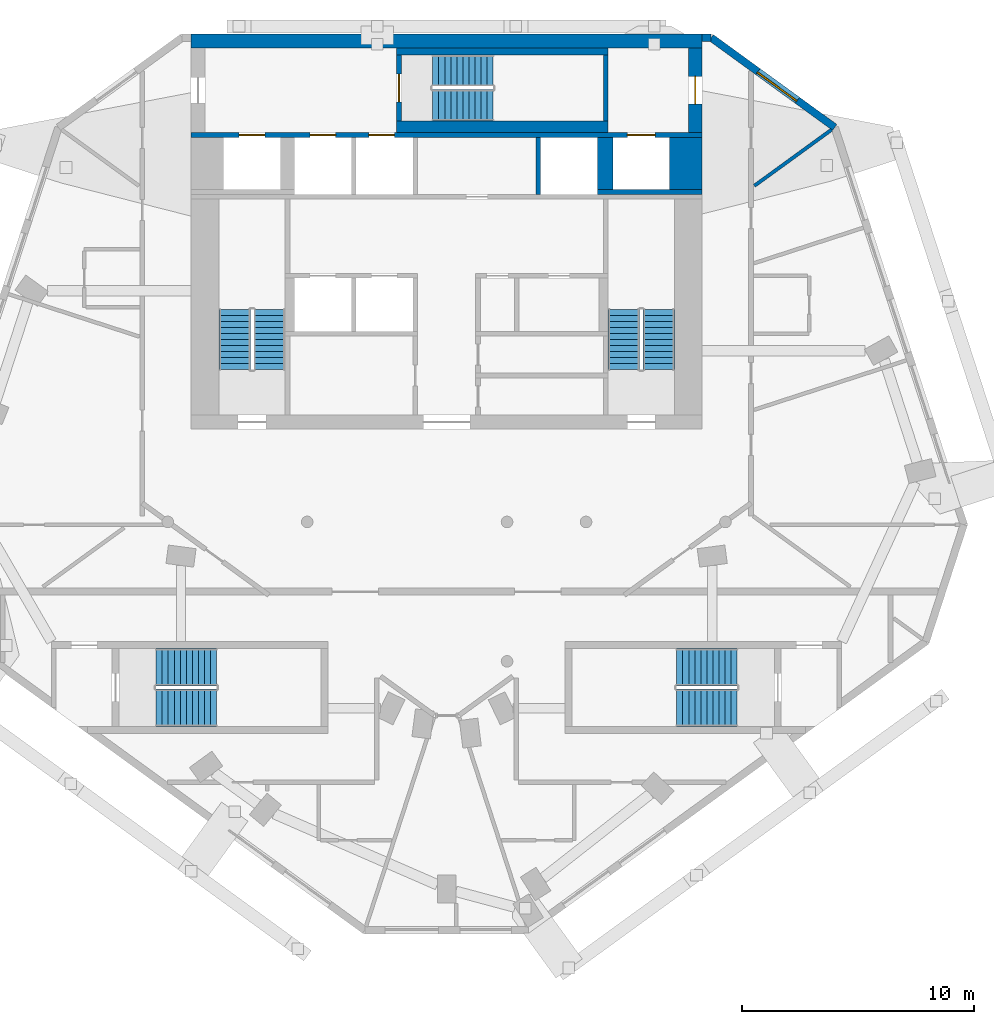
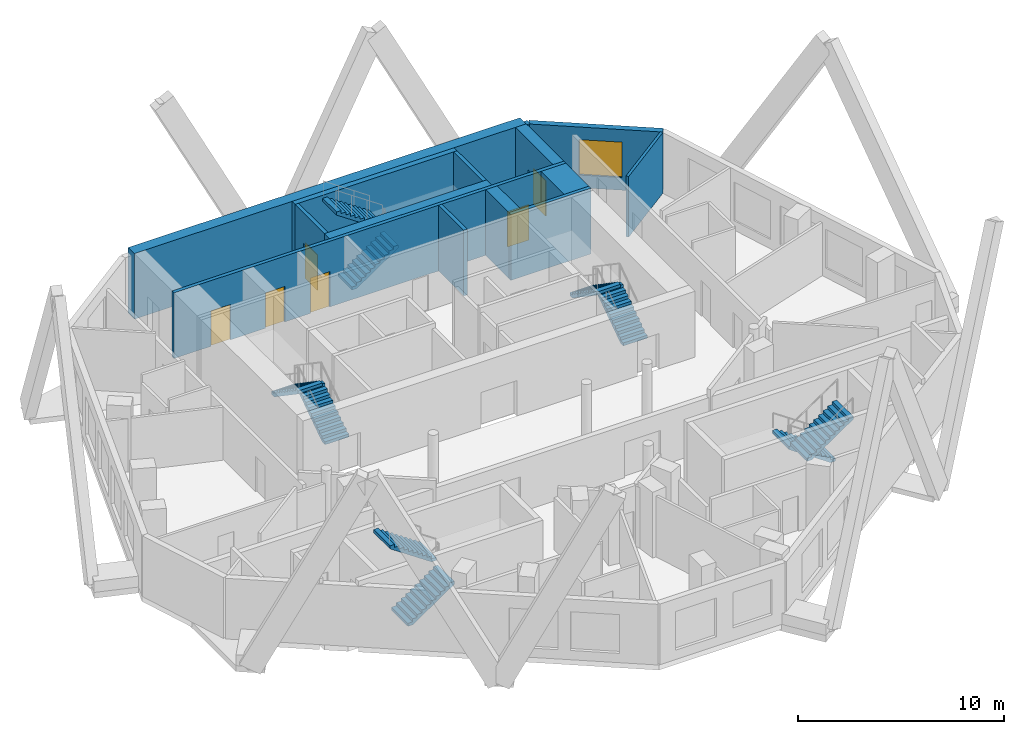
# One storey, part 6 of 8: 14 walls, 10 stair flights, 6 doors, 1 window, 7 openings, 5 elements without a shape of their own.
"""IFC4 building model written with IfcOpenShell, lengths in metres."""

from ifc_helpers import new_model, si_unit, direction, frame, frame_2d, origin, place, context, subcontext, project, spatial, polyline, rectangle, outline, extrude, material, layer, layer_set, type_object, element, fill, aggregate, save


model = new_model("IFC4")

# Units and contexts
model_context = context("Model", 3, precision=1e-05, world=origin(), true_north=direction((0.0, 1.0)))
body_context = subcontext(model_context, "Body", "Model", "MODEL_VIEW")
ifc_project = project(units=[si_unit("LENGTHUNIT", "METRE"), si_unit("AREAUNIT", "SQUARE_METRE"), si_unit("VOLUMEUNIT", "CUBIC_METRE"), si_unit("PLANEANGLEUNIT", "RADIAN"), si_unit("MASSUNIT", "GRAM", prefix="KILO")], contexts=[model_context])

# Site, building, storey
site_placement = place(None, origin())
site = spatial("IfcSite", under=ifc_project, at=site_placement, CompositionType="ELEMENT")
building_placement = place(site_placement, origin())
building = spatial("IfcBuilding", under=site, at=building_placement, Name="White Candle Pilgrim Tower", CompositionType="ELEMENT")
storey_placement = place(building_placement, frame((0.0, 0.0, 306.10009765625)))
storey = spatial("IfcBuildingStorey", under=building, at=storey_placement, Name="L72", CompositionType="ELEMENT", Elevation=306.10009765625)

# Walls
ifc_material_1 = material(Name="Concrete C40/50", Category="concrete")
ifc_layer_1 = layer(ifc_material_1, 1.39990234375)
ifc_layer_set_1 = layer_set([ifc_layer_1], Name="Core wall 1400 mm Concrete C40/50")
wall_type_1 = type_object("IfcWallType", Name="Core wall 1400 mm Concrete C40/50", PredefinedType="SHEAR", material=ifc_layer_set_1)
wall_1_placement = place(storey_placement, frame((80.300048828125, 81.300048828125, 0.0), z_axis=(0.0, 0.0, 1.0), x_axis=(0.0, 1.0, 0.0)))
element("IfcWall", 1, at=wall_1_placement, inside=storey, type_object=wall_type_1, Name="WL-L72-C42", PredefinedType="SHEAR", context=body_context, shape_type="SweptSolid", body=[
    extrude(rectangle(XDim=2.25, YDim=1.39990234375, at=frame_2d((1.125, 0.0))), origin(), (0.0, 0.0, 1.0), 3.89990234375),
])
ifc_layer_2 = layer(ifc_material_1, 0.199951171875)
ifc_layer_set_2 = layer_set([ifc_layer_2], Name="Core wall 200 mm Concrete C40/50")
wall_type_2 = type_object("IfcWallType", Name="Core wall 200 mm Concrete C40/50", PredefinedType="SHEAR", material=ifc_layer_set_2)
wall_2_placement = place(storey_placement, frame((76.5, 81.199951171875, 0.0), z_axis=(0.0, 0.0, 1.0), x_axis=(1.0, 0.0, 0.0)))
element("IfcWall", 2, at=wall_2_placement, inside=storey, type_object=wall_type_2, Name="WL-L72-C38", PredefinedType="SHEAR", context=body_context, shape_type="SweptSolid", body=[
    extrude(rectangle(XDim=4.5, YDim=0.199951171875, at=frame_2d((2.25, 0.0))), origin(), (0.0, 0.0, 1.0), 3.89990234375),
])

# Wall, openings, doors
wall_3_placement = place(storey_placement, frame((59.0, 83.64990234375, 0.0), z_axis=(0.0, 0.0, 1.0), x_axis=(1.0, 0.0, 0.0)))
wall_3 = element("IfcWall", 3, at=wall_3_placement, inside=storey, type_object=wall_type_2, Name="WL-L72-C43", PredefinedType="SHEAR", context=body_context, shape_type="SweptSolid", body=[
    extrude(rectangle(XDim=22.0, YDim=0.199951171875, at=frame_2d((11.0, 0.0))), origin(), (0.0, 0.0, 1.0), 3.89990234375),
])
opening_1_placement = place(wall_3_placement, frame((5.125, 0.0, 0.0)))
opening_1 = element("IfcOpeningElement", 4, at=opening_1_placement, cuts=wall_3, Name="Opening T22-016", PredefinedType="OPENING", context=body_context, shape_type="SweptSolid", body=[
    extrude(rectangle(XDim=1.10009765625, YDim=2.10009765625, at=frame_2d((0.550048828125, 1.050048828125))), frame((0.0, 0.10986328125, 0.0), z_axis=(0.0, -1.0, 0.0), x_axis=(1.0, 0.0, 0.0)), (0.0, 0.0, 1.0), 0.219970703125),
])
opening_2_placement = place(wall_3_placement, frame((7.64990234375, 0.0, 0.0)))
opening_2 = element("IfcOpeningElement", 5, at=opening_2_placement, cuts=wall_3, Name="Opening T22-017", PredefinedType="OPENING", context=body_context, shape_type="SweptSolid", body=[
    extrude(rectangle(XDim=1.10009765625, YDim=2.10009765625, at=frame_2d((0.550048828125, 1.050048828125))), frame((0.0, 0.10986328125, 0.0), z_axis=(0.0, -1.0, 0.0), x_axis=(1.0, 0.0, 0.0)), (0.0, 0.0, 1.0), 0.219970703125),
])
opening_3_placement = place(wall_3_placement, frame((18.77490234375, 0.0, 0.0)))
opening_3 = element("IfcOpeningElement", 6, at=opening_3_placement, cuts=wall_3, Name="Opening T22-018", PredefinedType="OPENING", context=body_context, shape_type="SweptSolid", body=[
    extrude(rectangle(XDim=1.199951171875, YDim=2.10009765625, at=frame_2d((0.60009765625, 1.050048828125))), frame((0.0, 0.10986328125, 0.0), z_axis=(0.0, -1.0, 0.0), x_axis=(1.0, 0.0, 0.0)), (0.0, 0.0, 1.0), 0.219970703125),
])
opening_4_placement = place(wall_3_placement, frame((2.074951171875, 0.0, 0.0)))
opening_4 = element("IfcOpeningElement", 7, at=opening_4_placement, cuts=wall_3, Name="Opening T22-019", PredefinedType="OPENING", context=body_context, shape_type="SweptSolid", body=[
    extrude(rectangle(XDim=1.10009765625, YDim=2.10009765625, at=frame_2d((0.550048828125, 1.050048828125))), frame((0.0, 0.10986328125, 0.0), z_axis=(0.0, -1.0, 0.0), x_axis=(1.0, 0.0, 0.0)), (0.0, 0.0, 1.0), 0.219970703125),
])
ifc_material_2 = material(Name="Stainless steel", Category="steel")
door_type_1 = type_object("IfcDoorType", Name="Lift landing door 1100 x 2100 EI 60", OperationType="DOUBLE_DOOR_SLIDING", PredefinedType="DOOR", material=ifc_material_2)
door_1_placement = place(opening_1_placement, origin())
door_1 = element("IfcDoor", 8, at=door_1_placement, inside=storey, type_object=door_type_1, Name="Door T22-016", OperationType="DOUBLE_DOOR_SLIDING", OverallHeight=2.10009765625, OverallWidth=1.10009765625, PredefinedType="DOOR", context=body_context, shape_type="SweptSolid", body=[
    extrude(rectangle(XDim=1.10009765625, YDim=2.10009765625, at=frame_2d((0.550048828125, 1.050048828125))), frame((0.0, 0.02490234375, 0.0), z_axis=(0.0, -1.0, 0.0), x_axis=(1.0, 0.0, 0.0)), (0.0, 0.0, 1.0), 0.050048828125),
])
fill(opening_1, door_1)
door_2_placement = place(opening_2_placement, origin())
door_2 = element("IfcDoor", 9, at=door_2_placement, inside=storey, type_object=door_type_1, Name="Door T22-017", OperationType="DOUBLE_DOOR_SLIDING", OverallHeight=2.10009765625, OverallWidth=1.10009765625, PredefinedType="DOOR", context=body_context, shape_type="SweptSolid", body=[
    extrude(rectangle(XDim=1.10009765625, YDim=2.10009765625, at=frame_2d((0.550048828125, 1.050048828125))), frame((0.0, 0.02490234375, 0.0), z_axis=(0.0, -1.0, 0.0), x_axis=(1.0, 0.0, 0.0)), (0.0, 0.0, 1.0), 0.050048828125),
])
fill(opening_2, door_2)
door_3_placement = place(opening_4_placement, origin())
door_3 = element("IfcDoor", 10, at=door_3_placement, inside=storey, type_object=door_type_1, Name="Door T22-019", OperationType="DOUBLE_DOOR_SLIDING", OverallHeight=2.10009765625, OverallWidth=1.10009765625, PredefinedType="DOOR", context=body_context, shape_type="SweptSolid", body=[
    extrude(rectangle(XDim=1.10009765625, YDim=2.10009765625, at=frame_2d((0.550048828125, 1.050048828125))), frame((0.0, 0.02490234375, 0.0), z_axis=(0.0, -1.0, 0.0), x_axis=(1.0, 0.0, 0.0)), (0.0, 0.0, 1.0), 0.050048828125),
])
fill(opening_4, door_3)
door_type_2 = type_object("IfcDoorType", Name="Lift landing door 1200 x 2100 E 60", OperationType="DOUBLE_DOOR_SLIDING", PredefinedType="DOOR", material=ifc_material_2)
door_4_placement = place(opening_3_placement, origin())
door_4 = element("IfcDoor", 11, at=door_4_placement, inside=storey, type_object=door_type_2, Name="Door T22-018", OperationType="DOUBLE_DOOR_SLIDING", OverallHeight=2.10009765625, OverallWidth=1.199951171875, PredefinedType="DOOR", context=body_context, shape_type="SweptSolid", body=[
    extrude(rectangle(XDim=1.199951171875, YDim=2.10009765625, at=frame_2d((0.60009765625, 1.050048828125))), frame((0.0, 0.02490234375, 0.0), z_axis=(0.0, -1.0, 0.0), x_axis=(1.0, 0.0, 0.0)), (0.0, 0.0, 1.0), 0.050048828125),
])
fill(opening_3, door_4)

# Wall, opening, door
ifc_layer_3 = layer(ifc_material_1, 0.60009765625)
ifc_layer_set_3 = layer_set([ifc_layer_3], Name="Core wall 600 mm Concrete C40/50")
wall_type_3 = type_object("IfcWallType", Name="Core wall 600 mm Concrete C40/50", PredefinedType="SHEAR", material=ifc_layer_set_3)
wall_4_placement = place(storey_placement, frame((80.699951171875, 83.75, 0.0), z_axis=(0.0, 0.0, 1.0), x_axis=(0.0, 1.0, 0.0)))
wall_4 = element("IfcWall", 12, at=wall_4_placement, inside=storey, type_object=wall_type_3, Name="WL-L72-C46", PredefinedType="SHEAR", context=body_context, shape_type="SweptSolid", body=[
    extrude(rectangle(XDim=3.64990234375, YDim=0.60009765625, at=frame_2d((1.824951171875, 0.0))), origin(), (0.0, 0.0, 1.0), 3.89990234375),
])
opening_5_placement = place(wall_4_placement, frame((1.22509765625, 0.0, 0.0)))
opening_5 = element("IfcOpeningElement", 13, at=opening_5_placement, cuts=wall_4, Name="Opening T22-009", PredefinedType="OPENING", context=body_context, shape_type="SweptSolid", body=[
    extrude(rectangle(XDim=1.199951171875, YDim=2.10009765625, at=frame_2d((0.60009765625, 1.050048828125))), frame((0.0, 0.31005859375, 0.0), z_axis=(0.0, -1.0, 0.0), x_axis=(1.0, 0.0, 0.0)), (0.0, 0.0, 1.0), 0.6201171875),
])
ifc_material_3 = material(Name="Steel door leaf", Category="steel")
door_type_3 = type_object("IfcDoorType", Name="Fire door 1200 x 2100 EI 30", OperationType="NOTDEFINED", PredefinedType="DOOR", material=ifc_material_3)
door_5_placement = place(opening_5_placement, origin())
door_5 = element("IfcDoor", 14, at=door_5_placement, inside=storey, type_object=door_type_3, Name="Door T22-009", OperationType="SINGLE_SWING_LEFT", OverallHeight=2.10009765625, OverallWidth=1.199951171875, PredefinedType="DOOR", context=body_context, shape_type="SweptSolid", body=[
    extrude(rectangle(XDim=1.199951171875, YDim=2.10009765625, at=frame_2d((0.60009765625, 1.050048828125))), frame((0.0, 0.02490234375, 0.0), z_axis=(0.0, -1.0, 0.0), x_axis=(1.0, 0.0, 0.0)), (0.0, 0.0, 1.0), 0.050048828125),
])
fill(opening_5, door_5)

# Wall
wall_5_placement = place(storey_placement, frame((59.0, 87.699951171875, 0.0), z_axis=(0.0, 0.0, 1.0), x_axis=(1.0, 0.0, 0.0)))
element("IfcWall", 15, at=wall_5_placement, inside=storey, type_object=wall_type_3, Name="WL-L72-C50", PredefinedType="SHEAR", context=body_context, shape_type="SweptSolid", body=[
    extrude(rectangle(XDim=22.0, YDim=0.60009765625, at=frame_2d((11.0, 0.0))), origin(), (0.0, 0.0, 1.0), 3.89990234375),
])

# Wall, opening, window
ifc_material_4 = material(Name="Precast concrete C40/50", Category="concrete")
ifc_layer_4 = layer(ifc_material_4, 0.320068359375)
ifc_layer_set_4 = layer_set([ifc_layer_4], Name="Facade wall EW1 precast concrete C40/50 pier wall with timber-lined reveals")
wall_type_4 = type_object("IfcWallType", Name="Facade wall EW1 precast concrete C40/50 pier wall with timber-lined reveals", PredefinedType="SOLIDWALL", material=ifc_layer_set_4)
wall_6_placement = place(storey_placement, frame((86.701904296875, 83.97705078125, 0.0), z_axis=(0.0, 0.0, 1.0), x_axis=(-0.809010691028, 0.587793928007, 0.0)))
wall_6 = element("IfcWall", 16, at=wall_6_placement, inside=storey, type_object=wall_type_4, Name="Facade wall L72 NE chamfer", PredefinedType="SOLIDWALL", context=body_context, shape_type="SweptSolid", body=[
    extrude(rectangle(XDim=6.572021484375, YDim=0.320068359375, at=frame_2d((3.2861328125, 0.0))), origin(), (0.0, 0.0, 1.0), 3.599853515625),
])
opening_6_placement = place(wall_6_placement, frame((1.98583984375, 0.0, 0.75)))
opening_6 = element("IfcOpeningElement", 17, at=opening_6_placement, cuts=wall_6, Name="Opening W3", PredefinedType="OPENING", context=body_context, shape_type="SweptSolid", body=[
    extrude(rectangle(XDim=2.10009765625, YDim=2.10009765625, at=frame_2d((1.050048828125, 1.050048828125))), frame((0.0, 0.169921875, 0.0), z_axis=(0.0, -1.0, 0.0), x_axis=(1.0, 0.0, 0.0)), (0.0, 0.0, 1.0), 0.340087890625),
])
ifc_material_5 = material(Name="Timber frame with triple glazing", Category="wood")
window_type = type_object("IfcWindowType", Name="Window W3 2100x2100 timber frame triple glazing", PartitioningType="SINGLE_PANEL", PredefinedType="WINDOW", material=ifc_material_5)
window_placement = place(opening_6_placement, origin())
window = element("IfcWindow", 18, at=window_placement, inside=storey, type_object=window_type, Name="Window W3 L72 NE chamfer 1", OverallHeight=2.10009765625, OverallWidth=2.10009765625, PartitioningType="SINGLE_PANEL", PredefinedType="WINDOW", context=body_context, shape_type="SweptSolid", body=[
    extrude(rectangle(XDim=2.10009765625, YDim=2.10009765625, at=frame_2d((1.050048828125, 1.050048828125))), frame((0.0, 0.070068359375, 0.0), z_axis=(0.0, -1.0, 0.0), x_axis=(1.0, 0.0, 0.0)), (0.0, 0.0, 1.0), 0.06005859375),
])
fill(opening_6, window)

# Walls
wall_7_placement = place(storey_placement, frame((81.385009765625, 87.840087890625, 0.0), z_axis=(0.0, 0.0, 1.0), x_axis=(-1.0, 0.0, 0.0)))
element("IfcWall", 19, at=wall_7_placement, inside=storey, type_object=wall_type_4, Name="Facade wall L72 N", PredefinedType="SOLIDWALL", context=body_context, shape_type="SweptSolid", body=[
    extrude(rectangle(XDim=0.385009765625, YDim=0.320068359375, at=frame_2d((0.1923828125, 0.0))), origin(), (0.0, 0.0, 1.0), 3.599853515625),
])
ifc_material_6 = material(Name="Gypsum board on steel studs", Category="steel")
ifc_layer_5 = layer(ifc_material_6, 0.14990234375)
ifc_layer_set_5 = layer_set([ifc_layer_5], Name="Partition 150 mm EI 60")
wall_type_5 = type_object("IfcWallType", Name="Partition 150 mm EI 60", PredefinedType="PARTITIONING", material=ifc_layer_set_5)
wall_8_placement = place(storey_placement, frame((86.565673828125, 83.87841796875, 0.0), z_axis=(0.0, 0.0, 1.0), x_axis=(-0.809005997221, -0.587800388279, 0.0)))
element("IfcWall", 20, at=wall_8_placement, inside=storey, type_object=wall_type_5, Name="WL-L72-P024", PredefinedType="PARTITIONING", context=body_context, shape_type="SweptSolid", body=[
    extrude(rectangle(XDim=4.105712890625, YDim=0.14990234375, at=frame_2d((2.052734375, 0.0))), origin(), (0.0, 0.0, 1.0), 3.599853515625),
])
ifc_layer_6 = layer(ifc_material_1, 0.199951171875)
ifc_layer_set_6 = layer_set([ifc_layer_6], Name="Shaft wall 200 mm Concrete C40/50")
wall_type_6 = type_object("IfcWallType", Name="Shaft wall 200 mm Concrete C40/50", PredefinedType="SHEAR", material=ifc_layer_set_6)
wall_9_placement = place(storey_placement, frame((73.949951171875, 81.10009765625, 0.0), z_axis=(0.0, 0.0, 1.0), x_axis=(0.0, 1.0, 0.0)))
element("IfcWall", 21, at=wall_9_placement, inside=storey, type_object=wall_type_6, Name="WL-L72-C37", PredefinedType="SHEAR", context=body_context, shape_type="SweptSolid", body=[
    extrude(rectangle(XDim=2.449951171875, YDim=0.199951171875, at=frame_2d((1.22509765625, 0.0))), origin(), (0.0, 0.0, 1.0), 3.89990234375),
])
ifc_layer_7 = layer(ifc_material_1, 0.64990234375)
ifc_layer_set_7 = layer_set([ifc_layer_7], Name="Shaft wall 650 mm Concrete C40/50")
wall_type_7 = type_object("IfcWallType", Name="Shaft wall 650 mm Concrete C40/50", PredefinedType="SHEAR", material=ifc_layer_set_7)
wall_10_placement = place(storey_placement, frame((76.824951171875, 81.300048828125, 0.0), z_axis=(0.0, 0.0, 1.0), x_axis=(0.0, 1.0, 0.0)))
element("IfcWall", 22, at=wall_10_placement, inside=storey, type_object=wall_type_7, Name="WL-L72-C41", PredefinedType="SHEAR", context=body_context, shape_type="SweptSolid", body=[
    extrude(rectangle(XDim=2.25, YDim=0.64990234375, at=frame_2d((1.125, 0.0))), origin(), (0.0, 0.0, 1.0), 3.89990234375),
])

# Wall, opening, door
ifc_layer_8 = layer(ifc_material_1, 0.199951171875)
ifc_layer_set_8 = layer_set([ifc_layer_8], Name="Stair shaft wall 200 mm Concrete C40/50")
wall_type_8 = type_object("IfcWallType", Name="Stair shaft wall 200 mm Concrete C40/50", PredefinedType="SHEAR", material=ifc_layer_set_8)
wall_11_placement = place(storey_placement, frame((67.949951171875, 84.25, 0.0), z_axis=(0.0, 0.0, 1.0), x_axis=(0.0, 1.0, 0.0)))
wall_11 = element("IfcWall", 23, at=wall_11_placement, inside=storey, type_object=wall_type_8, Name="WL-L72-C47", PredefinedType="SHEAR", context=body_context, shape_type="SweptSolid", body=[
    extrude(rectangle(XDim=2.85009765625, YDim=0.199951171875, at=frame_2d((1.425048828125, 0.0))), origin(), (0.0, 0.0, 1.0), 3.89990234375),
])
opening_7_placement = place(wall_11_placement, frame((0.824951171875, 0.0, 0.0)))
opening_7 = element("IfcOpeningElement", 24, at=opening_7_placement, cuts=wall_11, Name="Opening T22-003", PredefinedType="OPENING", context=body_context, shape_type="SweptSolid", body=[
    extrude(rectangle(XDim=1.199951171875, YDim=2.10009765625, at=frame_2d((0.60009765625, 1.050048828125))), frame((0.0, 0.10986328125, 0.0), z_axis=(0.0, -1.0, 0.0), x_axis=(1.0, 0.0, 0.0)), (0.0, 0.0, 1.0), 0.219970703125),
])
door_type_4 = type_object("IfcDoorType", Name="Fire door 1200 x 2100 EI 60", OperationType="NOTDEFINED", PredefinedType="DOOR", material=ifc_material_3)
door_6_placement = place(opening_7_placement, frame((1.199951171875, 0.0, 0.0), z_axis=(0.0, 0.0, 1.0), x_axis=(-1.0, 0.0, 0.0)))
door_6 = element("IfcDoor", 25, at=door_6_placement, inside=storey, type_object=door_type_4, Name="Door T22-003", OperationType="SINGLE_SWING_RIGHT", OverallHeight=2.10009765625, OverallWidth=1.199951171875, PredefinedType="DOOR", context=body_context, shape_type="SweptSolid", body=[
    extrude(rectangle(XDim=1.199951171875, YDim=2.10009765625, at=frame_2d((0.60009765625, 1.050048828125))), frame((0.0, 0.02490234375, 0.0), z_axis=(0.0, -1.0, 0.0), x_axis=(1.0, 0.0, 0.0)), (0.0, 0.0, 1.0), 0.050048828125),
])
fill(opening_7, door_6)

# Walls
wall_12_placement = place(storey_placement, frame((76.85009765625, 84.25, 0.0), z_axis=(0.0, 0.0, 1.0), x_axis=(0.0, 1.0, 0.0)))
element("IfcWall", 26, at=wall_12_placement, inside=storey, type_object=wall_type_8, Name="WL-L72-C48", PredefinedType="SHEAR", context=body_context, shape_type="SweptSolid", body=[
    extrude(rectangle(XDim=2.85009765625, YDim=0.199951171875, at=frame_2d((1.425048828125, 0.0))), origin(), (0.0, 0.0, 1.0), 3.89990234375),
])
ifc_layer_9 = layer(ifc_material_1, 0.300048828125)
ifc_layer_set_9 = layer_set([ifc_layer_9], Name="Stair shaft wall 300 mm Concrete C40/50")
wall_type_9 = type_object("IfcWallType", Name="Stair shaft wall 300 mm Concrete C40/50", PredefinedType="SHEAR", material=ifc_layer_set_9)
wall_13_placement = place(storey_placement, frame((67.85009765625, 87.25, 0.0), z_axis=(0.0, 0.0, 1.0), x_axis=(1.0, 0.0, 0.0)))
element("IfcWall", 27, at=wall_13_placement, inside=storey, type_object=wall_type_9, Name="WL-L72-C49", PredefinedType="SHEAR", context=body_context, shape_type="SweptSolid", body=[
    extrude(rectangle(XDim=9.099853515625, YDim=0.300048828125, at=frame_2d((4.5498046875, 0.0))), origin(), (0.0, 0.0, 1.0), 3.89990234375),
])
ifc_layer_10 = layer(ifc_material_1, 0.5)
ifc_layer_set_10 = layer_set([ifc_layer_10], Name="Stair shaft wall 500 mm Concrete C40/50")
wall_type_10 = type_object("IfcWallType", Name="Stair shaft wall 500 mm Concrete C40/50", PredefinedType="SHEAR", material=ifc_layer_set_10)
wall_14_placement = place(storey_placement, frame((67.85009765625, 84.0, 0.0), z_axis=(0.0, 0.0, 1.0), x_axis=(1.0, 0.0, 0.0)))
element("IfcWall", 28, at=wall_14_placement, inside=storey, type_object=wall_type_10, Name="WL-L72-C45", PredefinedType="SHEAR", context=body_context, shape_type="SweptSolid", body=[
    extrude(rectangle(XDim=9.099853515625, YDim=0.5, at=frame_2d((4.5498046875, 0.0))), origin(), (0.0, 0.0, 1.0), 3.89990234375),
])

# Stair, stair flights
stair_type_1 = type_object("IfcStairType", Name="Exit stair 1 flight width 1350 mm", PredefinedType="HALF_TURN_STAIR", material=ifc_material_1)
stair_1_placement = place(storey_placement, origin())
stair_1 = element("IfcStair", 29, at=stair_1_placement, inside=storey, type_object=stair_type_1, Name="L72 stair 1", PredefinedType="NOTDEFINED")
ifc_layer_11 = layer(ifc_material_1, 0.14990234375)
ifc_layer_set_11 = layer_set([ifc_layer_11], Name="Stair flight Concrete C40/50")
stair_flight_type = type_object("IfcStairFlightType", Name="Stair flight Concrete C40/50", PredefinedType="STRAIGHT", material=ifc_layer_set_11)
stair_flight_1_placement = place(storey_placement, frame((62.375, 73.550048828125, 0.0), z_axis=(0.0, 0.0, 1.0), x_axis=(0.0, 1.0, 0.0)))
stair_flight_1 = element("IfcStairFlight", 30, at=stair_flight_1_placement, type_object=stair_flight_type, Name="ST1 flight 1", NumberOfRisers=11, NumberOfTreads=10, PredefinedType="NOTDEFINED", RiserHeight=0.177272727, TreadLength=0.26, context=body_context, shape_type="SweptSolid", body=[
    extrude(outline(polyline([(0.0, 0.0), (0.0, 0.17724609375), (0.260009765625, 0.17724609375), (0.260009765625, 0.3544921875), (0.52001953125, 0.3544921875), (0.52001953125, 0.53173828125), (0.780029296875, 0.53173828125), (0.780029296875, 0.708984375), (1.0400390625, 0.708984375), (1.0400390625, 0.886474609375), (1.300048828125, 0.886474609375), (1.300048828125, 1.063720703125), (1.56005859375, 1.063720703125), (1.56005859375, 1.240966796875), (1.820068359375, 1.240966796875), (1.820068359375, 1.418212890625), (2.080078125, 1.418212890625), (2.080078125, 1.595458984375), (2.340087890625, 1.595458984375), (2.340087890625, 1.772705078125), (2.60009765625, 1.772705078125), (2.60009765625, 1.949951171875), (2.60009765625, 1.59130859375), (0.26611328125, 0.0), (0.0, 0.0)])), frame((0.0, 0.675048828125, 0.0), z_axis=(0.0, -1.0, 0.0), x_axis=(1.0, 0.0, 0.0)), (0.0, 0.0, 1.0), 1.35009765625),
])
stair_flight_2_placement = place(storey_placement, frame((60.875, 76.14990234375, 1.949951171875), z_axis=(0.0, 0.0, 1.0), x_axis=(0.0, -1.0, 0.0)))
stair_flight_2 = element("IfcStairFlight", 31, at=stair_flight_2_placement, type_object=stair_flight_type, Name="ST1 flight 2", NumberOfRisers=11, NumberOfTreads=10, PredefinedType="NOTDEFINED", RiserHeight=0.177272727, TreadLength=0.26, context=body_context, shape_type="SweptSolid", body=[
    extrude(outline(polyline([(0.0, 0.0), (0.0, 0.17724609375), (0.260009765625, 0.17724609375), (0.260009765625, 0.3544921875), (0.52001953125, 0.3544921875), (0.52001953125, 0.53173828125), (0.780029296875, 0.53173828125), (0.780029296875, 0.708984375), (1.0400390625, 0.708984375), (1.0400390625, 0.886474609375), (1.300048828125, 0.886474609375), (1.300048828125, 1.063720703125), (1.56005859375, 1.063720703125), (1.56005859375, 1.240966796875), (1.820068359375, 1.240966796875), (1.820068359375, 1.418212890625), (2.080078125, 1.418212890625), (2.080078125, 1.595458984375), (2.340087890625, 1.595458984375), (2.340087890625, 1.772705078125), (2.60009765625, 1.772705078125), (2.60009765625, 1.949951171875), (2.60009765625, 1.59130859375), (0.26611328125, 0.0), (0.0, 0.0)])), frame((0.0, 0.675048828125, 0.0), z_axis=(0.0, -1.0, 0.0), x_axis=(1.0, 0.0, 0.0)), (0.0, 0.0, 1.0), 1.35009765625),
])
aggregate(stair_1, [stair_flight_1, stair_flight_2])

stair_type_2 = type_object("IfcStairType", Name="Exit stair 2 flight width 1350 mm", PredefinedType="HALF_TURN_STAIR", material=ifc_material_1)
stair_2_placement = place(storey_placement, origin())
stair_2 = element("IfcStair", 32, at=stair_2_placement, inside=storey, type_object=stair_type_2, Name="L72 stair 2", PredefinedType="NOTDEFINED")
stair_flight_3_placement = place(storey_placement, frame((79.125, 73.550048828125, 0.0), z_axis=(0.0, 0.0, 1.0), x_axis=(0.0, 1.0, 0.0)))
stair_flight_3 = element("IfcStairFlight", 33, at=stair_flight_3_placement, type_object=stair_flight_type, Name="ST2 flight 1", NumberOfRisers=11, NumberOfTreads=10, PredefinedType="NOTDEFINED", RiserHeight=0.177272727, TreadLength=0.26, context=body_context, shape_type="SweptSolid", body=[
    extrude(outline(polyline([(0.0, 0.0), (0.0, 0.17724609375), (0.260009765625, 0.17724609375), (0.260009765625, 0.3544921875), (0.52001953125, 0.3544921875), (0.52001953125, 0.53173828125), (0.780029296875, 0.53173828125), (0.780029296875, 0.708984375), (1.0400390625, 0.708984375), (1.0400390625, 0.886474609375), (1.300048828125, 0.886474609375), (1.300048828125, 1.063720703125), (1.56005859375, 1.063720703125), (1.56005859375, 1.240966796875), (1.820068359375, 1.240966796875), (1.820068359375, 1.418212890625), (2.080078125, 1.418212890625), (2.080078125, 1.595458984375), (2.340087890625, 1.595458984375), (2.340087890625, 1.772705078125), (2.60009765625, 1.772705078125), (2.60009765625, 1.949951171875), (2.60009765625, 1.59130859375), (0.26611328125, 0.0), (0.0, 0.0)])), frame((0.0, 0.675048828125, 0.0), z_axis=(0.0, -1.0, 0.0), x_axis=(1.0, 0.0, 0.0)), (0.0, 0.0, 1.0), 1.35009765625),
])
stair_flight_4_placement = place(storey_placement, frame((77.625, 76.14990234375, 1.949951171875), z_axis=(0.0, 0.0, 1.0), x_axis=(0.0, -1.0, 0.0)))
stair_flight_4 = element("IfcStairFlight", 34, at=stair_flight_4_placement, type_object=stair_flight_type, Name="ST2 flight 2", NumberOfRisers=11, NumberOfTreads=10, PredefinedType="NOTDEFINED", RiserHeight=0.177272727, TreadLength=0.26, context=body_context, shape_type="SweptSolid", body=[
    extrude(outline(polyline([(0.0, 0.0), (0.0, 0.17724609375), (0.260009765625, 0.17724609375), (0.260009765625, 0.3544921875), (0.52001953125, 0.3544921875), (0.52001953125, 0.53173828125), (0.780029296875, 0.53173828125), (0.780029296875, 0.708984375), (1.0400390625, 0.708984375), (1.0400390625, 0.886474609375), (1.300048828125, 0.886474609375), (1.300048828125, 1.063720703125), (1.56005859375, 1.063720703125), (1.56005859375, 1.240966796875), (1.820068359375, 1.240966796875), (1.820068359375, 1.418212890625), (2.080078125, 1.418212890625), (2.080078125, 1.595458984375), (2.340087890625, 1.595458984375), (2.340087890625, 1.772705078125), (2.60009765625, 1.772705078125), (2.60009765625, 1.949951171875), (2.60009765625, 1.59130859375), (0.26611328125, 0.0), (0.0, 0.0)])), frame((0.0, 0.675048828125, 0.0), z_axis=(0.0, -1.0, 0.0), x_axis=(1.0, 0.0, 0.0)), (0.0, 0.0, 1.0), 1.35009765625),
])
aggregate(stair_2, [stair_flight_3, stair_flight_4])

stair_type_3 = type_object("IfcStairType", Name="Exit stair 3 flight width 1350 mm", PredefinedType="HALF_TURN_STAIR", material=ifc_material_1)
stair_3_placement = place(storey_placement, origin())
stair_3 = element("IfcStair", 35, at=stair_3_placement, inside=storey, type_object=stair_type_3, Name="L72 stair 3", PredefinedType="NOTDEFINED")
stair_flight_5_placement = place(storey_placement, frame((69.39990234375, 84.925048828125, 0.0), z_axis=(0.0, 0.0, 1.0), x_axis=(1.0, 0.0, 0.0)))
stair_flight_5 = element("IfcStairFlight", 36, at=stair_flight_5_placement, type_object=stair_flight_type, Name="ST3 flight 1", NumberOfRisers=11, NumberOfTreads=10, PredefinedType="NOTDEFINED", RiserHeight=0.177272727, TreadLength=0.26, context=body_context, shape_type="SweptSolid", body=[
    extrude(outline(polyline([(0.0, 0.0), (0.0, 0.17724609375), (0.260009765625, 0.17724609375), (0.260009765625, 0.3544921875), (0.52001953125, 0.3544921875), (0.52001953125, 0.53173828125), (0.780029296875, 0.53173828125), (0.780029296875, 0.708984375), (1.0400390625, 0.708984375), (1.0400390625, 0.886474609375), (1.300048828125, 0.886474609375), (1.300048828125, 1.063720703125), (1.56005859375, 1.063720703125), (1.56005859375, 1.240966796875), (1.820068359375, 1.240966796875), (1.820068359375, 1.418212890625), (2.080078125, 1.418212890625), (2.080078125, 1.595458984375), (2.340087890625, 1.595458984375), (2.340087890625, 1.772705078125), (2.60009765625, 1.772705078125), (2.60009765625, 1.949951171875), (2.60009765625, 1.59130859375), (0.26611328125, 0.0), (0.0, 0.0)])), frame((0.0, 0.675048828125, 0.0), z_axis=(0.0, -1.0, 0.0), x_axis=(1.0, 0.0, 0.0)), (0.0, 0.0, 1.0), 1.35009765625),
])
stair_flight_6_placement = place(storey_placement, frame((72.0, 86.425048828125, 1.949951171875), z_axis=(0.0, 0.0, 1.0), x_axis=(-1.0, 0.0, 0.0)))
stair_flight_6 = element("IfcStairFlight", 37, at=stair_flight_6_placement, type_object=stair_flight_type, Name="ST3 flight 2", NumberOfRisers=11, NumberOfTreads=10, PredefinedType="NOTDEFINED", RiserHeight=0.177272727, TreadLength=0.26, context=body_context, shape_type="SweptSolid", body=[
    extrude(outline(polyline([(0.0, 0.0), (0.0, 0.17724609375), (0.260009765625, 0.17724609375), (0.260009765625, 0.3544921875), (0.52001953125, 0.3544921875), (0.52001953125, 0.53173828125), (0.780029296875, 0.53173828125), (0.780029296875, 0.708984375), (1.0400390625, 0.708984375), (1.0400390625, 0.886474609375), (1.300048828125, 0.886474609375), (1.300048828125, 1.063720703125), (1.56005859375, 1.063720703125), (1.56005859375, 1.240966796875), (1.820068359375, 1.240966796875), (1.820068359375, 1.418212890625), (2.080078125, 1.418212890625), (2.080078125, 1.595458984375), (2.340087890625, 1.595458984375), (2.340087890625, 1.772705078125), (2.60009765625, 1.772705078125), (2.60009765625, 1.949951171875), (2.60009765625, 1.59130859375), (0.26611328125, 0.0), (0.0, 0.0)])), frame((0.0, 0.675048828125, 0.0), z_axis=(0.0, -1.0, 0.0), x_axis=(1.0, 0.0, 0.0)), (0.0, 0.0, 1.0), 1.35009765625),
])
aggregate(stair_3, [stair_flight_5, stair_flight_6])

stair_type_4 = type_object("IfcStairType", Name="Exit stair 4 flight width 1600 mm", PredefinedType="HALF_TURN_STAIR", material=ifc_material_1)
stair_4_placement = place(storey_placement, origin())
stair_4 = element("IfcStair", 38, at=stair_4_placement, inside=storey, type_object=stair_type_4, Name="L72 stair 4", PredefinedType="NOTDEFINED")
stair_flight_7_placement = place(storey_placement, frame((82.5, 60.75, 0.0), z_axis=(0.0, 0.0, 1.0), x_axis=(-1.0, 0.0, 0.0)))
stair_flight_7 = element("IfcStairFlight", 39, at=stair_flight_7_placement, type_object=stair_flight_type, Name="ST4 flight 1", NumberOfRisers=11, NumberOfTreads=10, PredefinedType="NOTDEFINED", RiserHeight=0.177272727, TreadLength=0.26, context=body_context, shape_type="SweptSolid", body=[
    extrude(outline(polyline([(0.0, 0.0), (0.0, 0.17724609375), (0.260009765625, 0.17724609375), (0.260009765625, 0.3544921875), (0.52001953125, 0.3544921875), (0.52001953125, 0.53173828125), (0.780029296875, 0.53173828125), (0.780029296875, 0.708984375), (1.0400390625, 0.708984375), (1.0400390625, 0.886474609375), (1.300048828125, 0.886474609375), (1.300048828125, 1.063720703125), (1.56005859375, 1.063720703125), (1.56005859375, 1.240966796875), (1.820068359375, 1.240966796875), (1.820068359375, 1.418212890625), (2.080078125, 1.418212890625), (2.080078125, 1.595458984375), (2.340087890625, 1.595458984375), (2.340087890625, 1.772705078125), (2.60009765625, 1.772705078125), (2.60009765625, 1.949951171875), (2.60009765625, 1.59130859375), (0.26611328125, 0.0), (0.0, 0.0)])), frame((0.0, 0.800048828125, 0.0), z_axis=(0.0, -1.0, 0.0), x_axis=(1.0, 0.0, 0.0)), (0.0, 0.0, 1.0), 1.60009765625),
])
stair_flight_8_placement = place(storey_placement, frame((79.89990234375, 59.0, 1.949951171875), z_axis=(0.0, 0.0, 1.0), x_axis=(1.0, 0.0, 0.0)))
stair_flight_8 = element("IfcStairFlight", 40, at=stair_flight_8_placement, type_object=stair_flight_type, Name="ST4 flight 2", NumberOfRisers=11, NumberOfTreads=10, PredefinedType="NOTDEFINED", RiserHeight=0.177272727, TreadLength=0.26, context=body_context, shape_type="SweptSolid", body=[
    extrude(outline(polyline([(0.0, 0.0), (0.0, 0.17724609375), (0.260009765625, 0.17724609375), (0.260009765625, 0.3544921875), (0.52001953125, 0.3544921875), (0.52001953125, 0.53173828125), (0.780029296875, 0.53173828125), (0.780029296875, 0.708984375), (1.0400390625, 0.708984375), (1.0400390625, 0.886474609375), (1.300048828125, 0.886474609375), (1.300048828125, 1.063720703125), (1.56005859375, 1.063720703125), (1.56005859375, 1.240966796875), (1.820068359375, 1.240966796875), (1.820068359375, 1.418212890625), (2.080078125, 1.418212890625), (2.080078125, 1.595458984375), (2.340087890625, 1.595458984375), (2.340087890625, 1.772705078125), (2.60009765625, 1.772705078125), (2.60009765625, 1.949951171875), (2.60009765625, 1.59130859375), (0.26611328125, 0.0), (0.0, 0.0)])), frame((0.0, 0.800048828125, 0.0), z_axis=(0.0, -1.0, 0.0), x_axis=(1.0, 0.0, 0.0)), (0.0, 0.0, 1.0), 1.60009765625),
])
aggregate(stair_4, [stair_flight_7, stair_flight_8])

stair_type_5 = type_object("IfcStairType", Name="Exit stair 5 flight width 1600 mm", PredefinedType="HALF_TURN_STAIR", material=ifc_material_1)
stair_5_placement = place(storey_placement, origin())
stair_5 = element("IfcStair", 41, at=stair_5_placement, inside=storey, type_object=stair_type_5, Name="L72 stair 5", PredefinedType="NOTDEFINED")
stair_flight_9_placement = place(storey_placement, frame((57.5, 59.0, 0.0), z_axis=(0.0, 0.0, 1.0), x_axis=(1.0, 0.0, 0.0)))
stair_flight_9 = element("IfcStairFlight", 42, at=stair_flight_9_placement, type_object=stair_flight_type, Name="ST5 flight 1", NumberOfRisers=11, NumberOfTreads=10, PredefinedType="NOTDEFINED", RiserHeight=0.177272727, TreadLength=0.26, context=body_context, shape_type="SweptSolid", body=[
    extrude(outline(polyline([(0.0, 0.0), (0.0, 0.17724609375), (0.260009765625, 0.17724609375), (0.260009765625, 0.3544921875), (0.52001953125, 0.3544921875), (0.52001953125, 0.53173828125), (0.780029296875, 0.53173828125), (0.780029296875, 0.708984375), (1.0400390625, 0.708984375), (1.0400390625, 0.886474609375), (1.300048828125, 0.886474609375), (1.300048828125, 1.063720703125), (1.56005859375, 1.063720703125), (1.56005859375, 1.240966796875), (1.820068359375, 1.240966796875), (1.820068359375, 1.418212890625), (2.080078125, 1.418212890625), (2.080078125, 1.595458984375), (2.340087890625, 1.595458984375), (2.340087890625, 1.772705078125), (2.60009765625, 1.772705078125), (2.60009765625, 1.949951171875), (2.60009765625, 1.59130859375), (0.26611328125, 0.0), (0.0, 0.0)])), frame((0.0, 0.800048828125, 0.0), z_axis=(0.0, -1.0, 0.0), x_axis=(1.0, 0.0, 0.0)), (0.0, 0.0, 1.0), 1.60009765625),
])
stair_flight_10_placement = place(storey_placement, frame((60.10009765625, 60.75, 1.949951171875), z_axis=(0.0, 0.0, 1.0), x_axis=(-1.0, 0.0, 0.0)))
stair_flight_10 = element("IfcStairFlight", 43, at=stair_flight_10_placement, type_object=stair_flight_type, Name="ST5 flight 2", NumberOfRisers=11, NumberOfTreads=10, PredefinedType="NOTDEFINED", RiserHeight=0.177272727, TreadLength=0.26, context=body_context, shape_type="SweptSolid", body=[
    extrude(outline(polyline([(0.0, 0.0), (0.0, 0.17724609375), (0.260009765625, 0.17724609375), (0.260009765625, 0.3544921875), (0.52001953125, 0.3544921875), (0.52001953125, 0.53173828125), (0.780029296875, 0.53173828125), (0.780029296875, 0.708984375), (1.0400390625, 0.708984375), (1.0400390625, 0.886474609375), (1.300048828125, 0.886474609375), (1.300048828125, 1.063720703125), (1.56005859375, 1.063720703125), (1.56005859375, 1.240966796875), (1.820068359375, 1.240966796875), (1.820068359375, 1.418212890625), (2.080078125, 1.418212890625), (2.080078125, 1.595458984375), (2.340087890625, 1.595458984375), (2.340087890625, 1.772705078125), (2.60009765625, 1.772705078125), (2.60009765625, 1.949951171875), (2.60009765625, 1.59130859375), (0.26611328125, 0.0), (0.0, 0.0)])), frame((0.0, 0.800048828125, 0.0), z_axis=(0.0, -1.0, 0.0), x_axis=(1.0, 0.0, 0.0)), (0.0, 0.0, 1.0), 1.60009765625),
])
aggregate(stair_5, [stair_flight_9, stair_flight_10])

save(model, "model.ifc")
